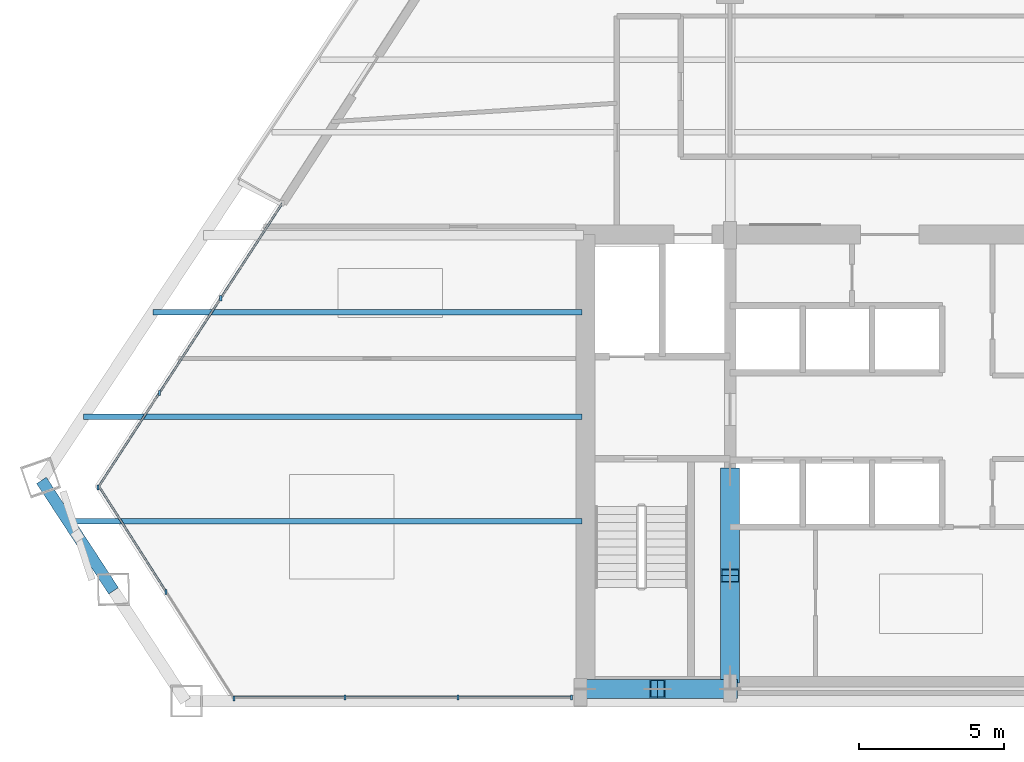
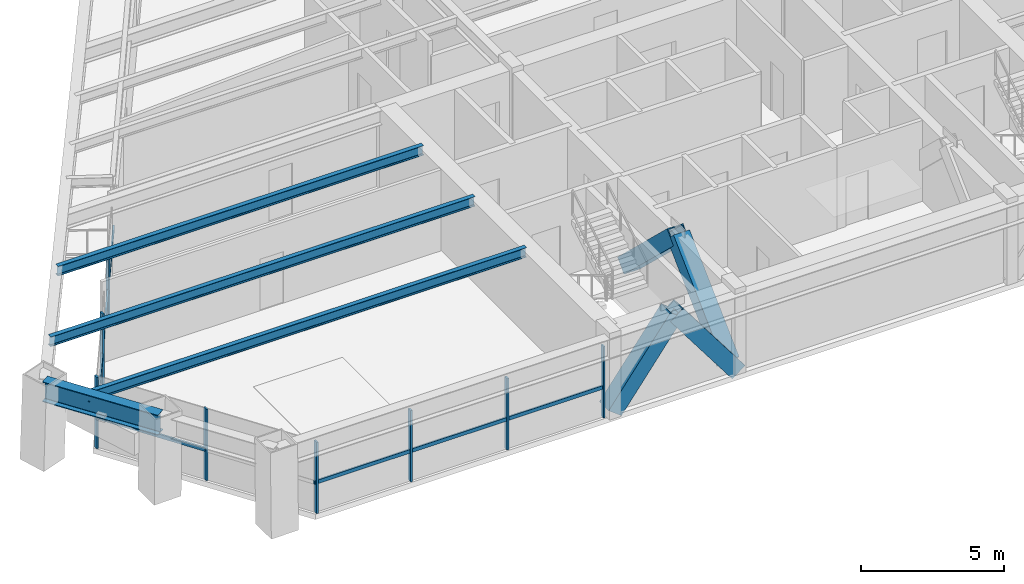
# One storey, part 2 of 15: 19 members, 4 beams, 3 elements without a shape of their own.
"""IFC4 building model written with IfcOpenShell, lengths in metres."""

from ifc_helpers import new_model, si_unit, direction, frame, origin, origin_2d, place, context, subcontext, project, spatial, rectangle, hollow_rectangle, i_section, extrude, source, transform, mapped, material, material_profile, profile_set, type_object, type_shapes, element, aggregate, save


model = new_model("IFC4")

# Units and contexts
model_context = context("Model", 3, precision=1e-05, world=origin(), true_north=direction((0.0, 1.0)))
body_context = subcontext(model_context, "Body", "Model", "MODEL_VIEW")
ifc_project = project(units=[si_unit("LENGTHUNIT", "METRE"), si_unit("AREAUNIT", "SQUARE_METRE"), si_unit("VOLUMEUNIT", "CUBIC_METRE"), si_unit("PLANEANGLEUNIT", "RADIAN"), si_unit("MASSUNIT", "GRAM", prefix="KILO")], contexts=[model_context])

# Site, building, storey
site_placement = place(None, origin())
site = spatial("IfcSite", under=ifc_project, at=site_placement, CompositionType="ELEMENT")
building_placement = place(site_placement, origin())
building = spatial("IfcBuilding", under=site, at=building_placement, Name="Varnakhor Terracotta Tower", CompositionType="ELEMENT")
storey_placement = place(building_placement, frame((0.0, 0.0, 144.10009765625)))
storey = spatial("IfcBuildingStorey", under=building, at=storey_placement, Name="L36", CompositionType="ELEMENT", Elevation=144.10009765625)

# Members
ifc_material_1 = material(Name="Steel S460", Category="steel")
ifc_material_profile_1 = material_profile(ifc_material_1, hollow_rectangle(XDim=0.64990234375, YDim=0.64990234375, WallThickness=0.0400390625, at=origin_2d()), Name="HSS650X650X40")
ifc_profile_set_1 = profile_set([ifc_material_profile_1], Name="Steel S460")
member_type_1 = type_object("IfcMemberType", Name="MBR-MEGA-650", PredefinedType="BRACE", material=ifc_profile_set_1)
shared_shape_1 = source(origin(), body_context, "Body", "SweptSolid", [
    extrude(hollow_rectangle(XDim=0.64990234375, YDim=0.64990234375, WallThickness=0.0400390625, at=origin_2d()), origin(), (0.0, 0.0, 1.0), 4.15576171875),
])
for number, where, z_axis, x_axis, name in (
    (1, (-10.5, 0.419921875, 0.0), (0.601559152872, 0.0, 0.798828257886), (0.0, 1.0, 0.0), "L36 Core Coupled Brace CSWA"),
    (2, (-5.5, 0.419921875, 0.0), (-0.601559152872, 0.0, 0.798828257886), (0.0, -1.0, 0.0), "L36 Core Coupled Brace CSWB"),
):
    element("IfcMember", number, at=place(storey_placement, frame(where, z_axis=z_axis, x_axis=x_axis)), inside=storey, type_object=member_type_1, Name=name, PredefinedType="BRACE", context=body_context, shape_type="MappedRepresentation", body=[
        mapped(shared_shape_1, transform((0.0, 0.0, 0.0), scale=1.0)),
    ])
shared_shape_2 = source(origin(), body_context, "Body", "SweptSolid", [
    extrude(hollow_rectangle(XDim=0.64990234375, YDim=0.64990234375, WallThickness=0.0400390625, at=origin_2d()), origin(), (0.0, 0.0, 1.0), 4.805908203125),
])
for number, where, z_axis, x_axis, name in (
    (3, (-5.5, 0.85009765625, 0.0), (0.0, 0.72305215055, 0.690793447845), (-1.0, 0.0, 0.0), "L36 Core Coupled Brace CWWA"),
    (4, (-5.5, 7.800048828125, 0.0), (0.0, -0.723076391278, 0.690768074231), (1.0, 0.0, 0.0), "L36 Core Coupled Brace CWWB"),
):
    element("IfcMember", number, at=place(storey_placement, frame(where, z_axis=z_axis, x_axis=x_axis)), inside=storey, type_object=member_type_1, Name=name, PredefinedType="BRACE", context=body_context, shape_type="MappedRepresentation", body=[
        mapped(shared_shape_2, transform((0.0, 0.0, 0.0), scale=1.0)),
    ])

# Beams
ifc_material_2 = material(Name="Steel S355", Category="steel")
ifc_material_profile_2 = material_profile(ifc_material_2, i_section(OverallWidth=0.39990234375, OverallDepth=0.85498046875, WebThickness=0.01806640625, FlangeThickness=0.029052734375, FilletRadius=0.01806640625, at=origin_2d()), Name="W33X201")
ifc_profile_set_2 = profile_set([ifc_material_profile_2], Name="Steel S355")
beam_type_1 = type_object("IfcBeamType", Name="BM-W33X201", PredefinedType="BEAM", material=ifc_profile_set_2)
shared_shape_3 = source(origin(), body_context, "Body", "SweptSolid", [
    extrude(i_section(OverallWidth=0.39990234375, OverallDepth=0.85498046875, WebThickness=0.01806640625, FlangeThickness=0.029052734375, FilletRadius=0.01806640625, at=origin_2d()), origin(), (0.0, 0.0, 1.0), 4.539794921875),
])
beam_1_placement = place(storey_placement, frame((-29.220947265625, 7.60400390625, 3.04248046875), z_axis=(0.546444938334, -0.837495032445, 0.0), x_axis=(0.837495032445, 0.546444938334, 0.0)))
element("IfcBeam", 5, at=beam_1_placement, inside=storey, type_object=beam_type_1, Name="L36 Perimeter Spandrel 7", PredefinedType="BEAM", context=body_context, shape_type="MappedRepresentation", body=[
    mapped(shared_shape_3, transform((0.0, 0.0, 0.0), scale=1.0)),
])
ifc_material_profile_3 = material_profile(ifc_material_2, i_section(OverallWidth=0.179931640625, OverallDepth=0.4130859375, WebThickness=0.009765625, FlangeThickness=0.01611328125, FilletRadius=0.01806640625, at=origin_2d()), Name="W16X50")
ifc_profile_set_3 = profile_set([ifc_material_profile_3], Name="Steel S355")
beam_type_2 = type_object("IfcBeamType", Name="JST-W16X50", PredefinedType="JOIST", material=ifc_profile_set_3)
shared_shape_4 = source(origin(), body_context, "Body", "SweptSolid", [
    extrude(i_section(OverallWidth=0.179931640625, OverallDepth=0.4130859375, WebThickness=0.009765625, FlangeThickness=0.01611328125, FilletRadius=0.01806640625, at=origin_2d()), origin(), (0.0, 0.0, 1.0), 17.704833984375),
])
beam_2_placement = place(storey_placement, frame((-28.304931640625, 6.199951171875, 3.263427734375), z_axis=(1.0, 0.0, 0.0), x_axis=(0.0, 1.0, 0.0)))
element("IfcBeam", 6, at=beam_2_placement, inside=storey, type_object=beam_type_2, Name="L36 Floor Joist W1", PredefinedType="JOIST", context=body_context, shape_type="MappedRepresentation", body=[
    mapped(shared_shape_4, transform((0.0, 0.0, 0.0), scale=1.0)),
])
shared_shape_5 = source(origin(), body_context, "Body", "SweptSolid", [
    extrude(i_section(OverallWidth=0.179931640625, OverallDepth=0.4130859375, WebThickness=0.009765625, FlangeThickness=0.01611328125, FilletRadius=0.01806640625, at=origin_2d()), origin(), (0.0, 0.0, 1.0), 17.168212890625),
])
beam_3_placement = place(storey_placement, frame((-27.768310546875, 9.800048828125, 3.263427734375), z_axis=(1.0, 0.0, 0.0), x_axis=(0.0, 1.0, 0.0)))
element("IfcBeam", 7, at=beam_3_placement, inside=storey, type_object=beam_type_2, Name="L36 Floor Joist W2", PredefinedType="JOIST", context=body_context, shape_type="MappedRepresentation", body=[
    mapped(shared_shape_5, transform((0.0, 0.0, 0.0), scale=1.0)),
])
shared_shape_6 = source(origin(), body_context, "Body", "SweptSolid", [
    extrude(i_section(OverallWidth=0.179931640625, OverallDepth=0.4130859375, WebThickness=0.009765625, FlangeThickness=0.01611328125, FilletRadius=0.01806640625, at=origin_2d()), origin(), (0.0, 0.0, 1.0), 14.78662109375),
])
beam_4_placement = place(storey_placement, frame((-25.38671875, 13.39990234375, 3.263427734375), z_axis=(1.0, 0.0, 0.0), x_axis=(0.0, 1.0, 0.0)))
element("IfcBeam", 8, at=beam_4_placement, inside=storey, type_object=beam_type_2, Name="L36 Floor Joist W3", PredefinedType="JOIST", context=body_context, shape_type="MappedRepresentation", body=[
    mapped(shared_shape_6, transform((0.0, 0.0, 0.0), scale=1.0)),
])

# Curtain wall, members
ifc_material_3 = material(Name="Anodised Aluminium Curtain Wall System", Category="aluminium")
curtain_wall_type = type_object("IfcCurtainWallType", Name="CW-SYS-MID-OFFICE", PredefinedType="NOTDEFINED", material=ifc_material_3)
curtain_wall_1_placement = place(storey_placement, origin())
curtain_wall_1 = element("IfcCurtainWall", 9, at=curtain_wall_1_placement, inside=storey, type_object=curtain_wall_type, Name="L36 W Facet Curtain Wall 1", PredefinedType="NOTDEFINED")
ifc_material_4 = material(Name="Anodised Aluminium 6063-T6", Category="aluminium")
ifc_material_profile_4 = material_profile(ifc_material_4, rectangle(XDim=0.070068359375, YDim=0.175048828125, at=origin_2d()), Name="ALU MULLION 70x175")
ifc_profile_set_4 = profile_set([ifc_material_profile_4], Name="Anodised Aluminium 6063-T6")
member_type_2 = type_object("IfcMemberType", Name="CWM-03", PredefinedType="MULLION", material=ifc_profile_set_4)
shared_shape_7 = source(origin(), body_context, "Body", "SweptSolid", [
    extrude(rectangle(XDim=0.070068359375, YDim=0.175048828125, at=origin_2d()), origin(), (0.0, 0.0, 1.0), 3.0498046875),
])
type_shapes(member_type_2, [shared_shape_7])
member_1_placement = place(storey_placement, frame((-27.270263671875, 7.364990234375, 0.0), z_axis=(0.0, 0.0, 1.0), x_axis=(1.0, 0.0, 0.0)))
member_1 = element("IfcMember", 10, at=member_1_placement, type_object=member_type_2, Name="L36 W Facet Curtain Wall 1 Mullion 1", PredefinedType="MULLION", context=body_context, shape_type="MappedRepresentation", body=[
    mapped(shared_shape_7, transform((0.0, 0.0, 0.0), scale=1.0)),
])
member_2_placement = place(storey_placement, frame((-25.158203125, 10.622314453125, 0.0), z_axis=(0.0, 0.0, 1.0), x_axis=(1.0, 0.0, 0.0)))
member_2 = element("IfcMember", 11, at=member_2_placement, type_object=member_type_2, Name="L36 W Facet Curtain Wall 1 Mullion 2", PredefinedType="MULLION", context=body_context, shape_type="MappedRepresentation", body=[
    mapped(shared_shape_7, transform((0.0, 0.0, 0.0), scale=1.0)),
])
member_3_placement = place(storey_placement, frame((-23.04638671875, 13.8798828125, 0.0), z_axis=(0.0, 0.0, 1.0), x_axis=(1.0, 0.0, 0.0)))
member_3 = element("IfcMember", 12, at=member_3_placement, type_object=member_type_2, Name="L36 W Facet Curtain Wall 1 Mullion 3", PredefinedType="MULLION", context=body_context, shape_type="MappedRepresentation", body=[
    mapped(shared_shape_7, transform((0.0, 0.0, 0.0), scale=1.0)),
])

curtain_wall_2_placement = place(storey_placement, origin())
curtain_wall_2 = element("IfcCurtainWall", 13, at=curtain_wall_2_placement, inside=storey, type_object=curtain_wall_type, Name="L36 South Wing Curtain Wall SSW", PredefinedType="NOTDEFINED")
member_4_placement = place(storey_placement, frame((-10.969970703125, 0.1201171875, 0.0), z_axis=(0.0, 0.0, 1.0), x_axis=(1.0, 0.0, 0.0)))
member_4 = element("IfcMember", 14, at=member_4_placement, type_object=member_type_2, Name="L36 South Wing Curtain Wall SSW Mullion 1", PredefinedType="MULLION", context=body_context, shape_type="MappedRepresentation", body=[
    mapped(shared_shape_7, transform((0.0, 0.0, 0.0), scale=1.0)),
])
member_5_placement = place(storey_placement, frame((-14.8671875, 0.1201171875, 0.0), z_axis=(0.0, 0.0, 1.0), x_axis=(1.0, 0.0, 0.0)))
member_5 = element("IfcMember", 15, at=member_5_placement, type_object=member_type_2, Name="L36 South Wing Curtain Wall SSW Mullion 2", PredefinedType="MULLION", context=body_context, shape_type="MappedRepresentation", body=[
    mapped(shared_shape_7, transform((0.0, 0.0, 0.0), scale=1.0)),
])
member_6_placement = place(storey_placement, frame((-18.764404296875, 0.1201171875, 0.0), z_axis=(0.0, 0.0, 1.0), x_axis=(1.0, 0.0, 0.0)))
member_6 = element("IfcMember", 16, at=member_6_placement, type_object=member_type_2, Name="L36 South Wing Curtain Wall SSW Mullion 3", PredefinedType="MULLION", context=body_context, shape_type="MappedRepresentation", body=[
    mapped(shared_shape_7, transform((0.0, 0.0, 0.0), scale=1.0)),
])

curtain_wall_3_placement = place(storey_placement, origin())
curtain_wall_3 = element("IfcCurtainWall", 17, at=curtain_wall_3_placement, inside=storey, type_object=curtain_wall_type, Name="L36 Facet Curtain Wall 6", PredefinedType="NOTDEFINED")
member_7_placement = place(storey_placement, frame((-22.586181640625, 0.08984375, 0.0), z_axis=(0.0, 0.0, 1.0), x_axis=(1.0, 0.0, 0.0)))
member_7 = element("IfcMember", 18, at=member_7_placement, type_object=member_type_2, Name="L36 Facet Curtain Wall 6 Mullion 1", PredefinedType="MULLION", context=body_context, shape_type="MappedRepresentation", body=[
    mapped(shared_shape_7, transform((0.0, 0.0, 0.0), scale=1.0)),
])
member_8_placement = place(storey_placement, frame((-24.927978515625, 3.76708984375, 0.0), z_axis=(0.0, 0.0, 1.0), x_axis=(1.0, 0.0, 0.0)))
member_8 = element("IfcMember", 19, at=member_8_placement, type_object=member_type_2, Name="L36 Facet Curtain Wall 6 Mullion 2", PredefinedType="MULLION", context=body_context, shape_type="MappedRepresentation", body=[
    mapped(shared_shape_7, transform((0.0, 0.0, 0.0), scale=1.0)),
])

# Member
ifc_material_profile_5 = material_profile(ifc_material_4, rectangle(XDim=0.070068359375, YDim=0.155029296875, at=origin_2d()), Name="ALU TRANSOM 70x155")
ifc_profile_set_5 = profile_set([ifc_material_profile_5], Name="Anodised Aluminium 6063-T6")
member_type_3 = type_object("IfcMemberType", Name="CWT-03", PredefinedType="USERDEFINED", material=ifc_profile_set_5)
shared_shape_8 = source(origin(), body_context, "Body", "SweptSolid", [
    extrude(rectangle(XDim=0.070068359375, YDim=0.155029296875, at=origin_2d()), origin(), (0.0, 0.0, 1.0), 3.882080078125),
])
member_9_placement = place(storey_placement, frame((-27.270263671875, 7.364990234375, 1.281005859375), z_axis=(0.544046340833, 0.839055170431, 0.0), x_axis=(-0.839055170431, 0.544046340833, 0.0)))
member_9 = element("IfcMember", 20, at=member_9_placement, type_object=member_type_3, Name="L36 W Facet Curtain Wall 1 Transom 1", ObjectType="TRANSOM", PredefinedType="USERDEFINED", context=body_context, shape_type="MappedRepresentation", body=[
    mapped(shared_shape_8, transform((0.0, 0.0, 0.0), scale=1.0)),
])

shared_shape_9 = source(origin(), body_context, "Body", "SweptSolid", [
    extrude(rectangle(XDim=0.070068359375, YDim=0.155029296875, at=origin_2d()), origin(), (0.0, 0.0, 1.0), 3.88232421875),
])
member_10_placement = place(storey_placement, frame((-25.158203125, 10.622314453125, 1.281005859375), z_axis=(0.543973358399, 0.839102487991, 0.0), x_axis=(-0.839102487991, 0.543973358399, 0.0)))
member_10 = element("IfcMember", 21, at=member_10_placement, type_object=member_type_3, Name="L36 W Facet Curtain Wall 1 Transom 2", ObjectType="TRANSOM", PredefinedType="USERDEFINED", context=body_context, shape_type="MappedRepresentation", body=[
    mapped(shared_shape_9, transform((0.0, 0.0, 0.0), scale=1.0)),
])

member_11_placement = place(storey_placement, frame((-23.04638671875, 13.8798828125, 1.281005859375), z_axis=(0.544017634488, 0.839073783028, 0.0), x_axis=(-0.839073783028, 0.544017634488, 0.0)))
member_11 = element("IfcMember", 22, at=member_11_placement, type_object=member_type_3, Name="L36 W Facet Curtain Wall 1 Transom 3", ObjectType="TRANSOM", PredefinedType="USERDEFINED", context=body_context, shape_type="MappedRepresentation", body=[
    mapped(shared_shape_9, transform((0.0, 0.0, 0.0), scale=1.0)),
])

aggregate(curtain_wall_1, [member_1, member_9, member_2, member_10, member_3, member_11])

shared_shape_10 = source(origin(), body_context, "Body", "SweptSolid", [
    extrude(rectangle(XDim=0.070068359375, YDim=0.155029296875, at=origin_2d()), origin(), (0.0, 0.0, 1.0), 3.897216796875),
])
member_12_placement = place(storey_placement, frame((-10.969970703125, 0.1201171875, 1.281005859375), z_axis=(-1.0, 0.0, 0.0), x_axis=(0.0, -1.0, 0.0)))
member_12 = element("IfcMember", 23, at=member_12_placement, type_object=member_type_3, Name="L36 South Wing Curtain Wall SSW Transom 1", ObjectType="TRANSOM", PredefinedType="USERDEFINED", context=body_context, shape_type="MappedRepresentation", body=[
    mapped(shared_shape_10, transform((0.0, 0.0, 0.0), scale=1.0)),
])

member_13_placement = place(storey_placement, frame((-14.8671875, 0.1201171875, 1.281005859375), z_axis=(-1.0, 0.0, 0.0), x_axis=(0.0, -1.0, 0.0)))
member_13 = element("IfcMember", 24, at=member_13_placement, type_object=member_type_3, Name="L36 South Wing Curtain Wall SSW Transom 2", ObjectType="TRANSOM", PredefinedType="USERDEFINED", context=body_context, shape_type="MappedRepresentation", body=[
    mapped(shared_shape_10, transform((0.0, 0.0, 0.0), scale=1.0)),
])

shared_shape_11 = source(origin(), body_context, "Body", "SweptSolid", [
    extrude(rectangle(XDim=0.070068359375, YDim=0.155029296875, at=origin_2d()), origin(), (0.0, 0.0, 1.0), 3.89697265625),
])
member_14_placement = place(storey_placement, frame((-18.764404296875, 0.1201171875, 1.281005859375), z_axis=(-1.0, 0.0, 0.0), x_axis=(0.0, -1.0, 0.0)))
member_14 = element("IfcMember", 25, at=member_14_placement, type_object=member_type_3, Name="L36 South Wing Curtain Wall SSW Transom 3", ObjectType="TRANSOM", PredefinedType="USERDEFINED", context=body_context, shape_type="MappedRepresentation", body=[
    mapped(shared_shape_11, transform((0.0, 0.0, 0.0), scale=1.0)),
])

aggregate(curtain_wall_2, [member_4, member_12, member_5, member_13, member_6, member_14])

shared_shape_12 = source(origin(), body_context, "Body", "SweptSolid", [
    extrude(rectangle(XDim=0.070068359375, YDim=0.155029296875, at=origin_2d()), origin(), (0.0, 0.0, 1.0), 4.359619140625),
])
member_15_placement = place(storey_placement, frame((-24.927978515625, 3.76708984375, 1.281005859375), z_axis=(-0.53719794105, 0.84345620641, 0.0), x_axis=(-0.84345620641, -0.53719794105, 0.0)))
member_15 = element("IfcMember", 26, at=member_15_placement, type_object=member_type_3, Name="L36 Facet Curtain Wall 6 Transom 2", ObjectType="TRANSOM", PredefinedType="USERDEFINED", context=body_context, shape_type="MappedRepresentation", body=[
    mapped(shared_shape_12, transform((0.0, 0.0, 0.0), scale=1.0)),
])

aggregate(curtain_wall_3, [member_7, member_8, member_15])

save(model, "model.ifc")
